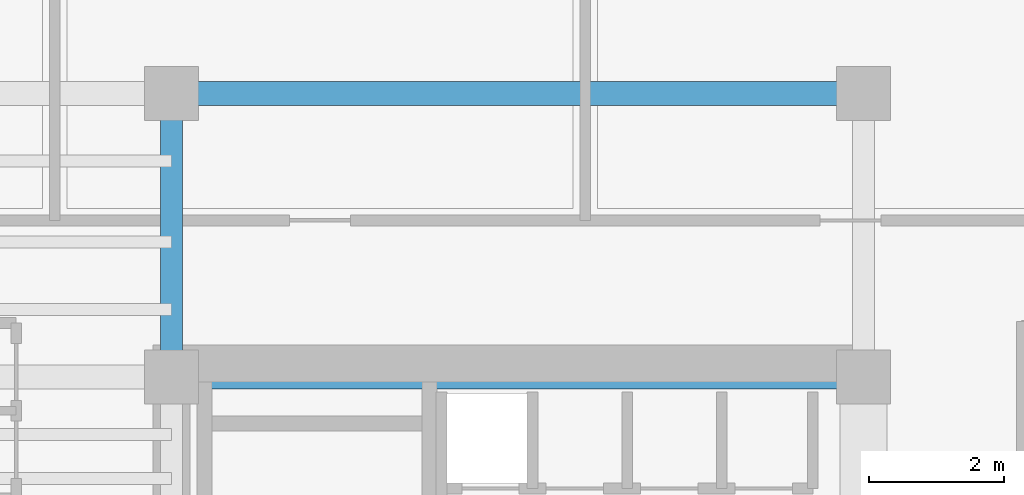
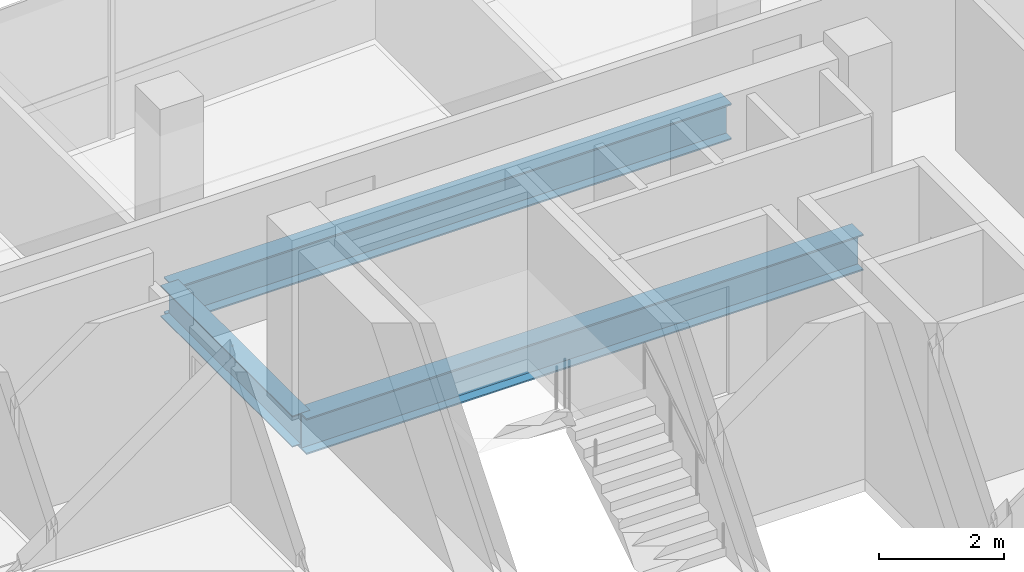
# One storey, part 9 of 21: 3 beams.
"""IFC4 building model written with IfcOpenShell, lengths in metres."""

from ifc_helpers import new_model, si_unit, direction, frame, origin, origin_2d, place, context, subcontext, project, spatial, i_section, extrude, source, transform, mapped, material, material_profile, profile_set, type_object, element, save


model = new_model("IFC4")

# Units and contexts
model_context = context("Model", 3, precision=1e-05, world=origin(), true_north=direction((0.0, 1.0)))
body_context = subcontext(model_context, "Body", "Model", "MODEL_VIEW")
ifc_project = project(units=[si_unit("LENGTHUNIT", "METRE"), si_unit("AREAUNIT", "SQUARE_METRE"), si_unit("VOLUMEUNIT", "CUBIC_METRE"), si_unit("PLANEANGLEUNIT", "RADIAN"), si_unit("MASSUNIT", "GRAM", prefix="KILO")], contexts=[model_context])

# Site, building, storey
site_placement = place(None, origin())
site = spatial("IfcSite", under=ifc_project, at=site_placement, CompositionType="ELEMENT")
building_placement = place(site_placement, origin())
building = spatial("IfcBuilding", under=site, at=building_placement, Name="Valdorenza Pilgrim Sanctuary Tower", CompositionType="ELEMENT")
storey_placement = place(building_placement, frame((0.0, 0.0, 258.0)))
storey = spatial("IfcBuildingStorey", under=building, at=storey_placement, Name="L67", CompositionType="ELEMENT", Elevation=258.0)

# Beams
ifc_material = material(Name="Steel ASTM A992 Grade 50", Category="steel")
ifc_material_profile_1 = material_profile(ifc_material, i_section(OverallWidth=0.323974609375, OverallDepth=0.611083984375, WebThickness=0.0126953125, FlangeThickness=0.01904296875, at=origin_2d()), Name="W24X104")
ifc_profile_set_1 = profile_set([ifc_material_profile_1], Name="Steel ASTM A992 Grade 50")
beam_type_1 = type_object("IfcBeamType", Name="STR-BM-GRD-W24B", PredefinedType="BEAM", material=ifc_profile_set_1)
shared_shape_1 = source(origin(), body_context, "Body", "SweptSolid", [
    extrude(i_section(OverallWidth=0.323974609375, OverallDepth=0.611083984375, WebThickness=0.0126953125, FlangeThickness=0.01904296875, at=origin_2d()), origin(), (0.0, 0.0, 1.0), 4.199951171875),
])
beam_placement = place(storey_placement, frame((-22.64990234375, 10.60009765625, -0.54541015625), z_axis=(0.0, 1.0, 0.0), x_axis=(-1.0, 0.0, 0.0)))
element("IfcBeam", 1, at=beam_placement, inside=storey, type_object=beam_type_1, Name="L67 Core Tie Girder CA-W-N1N2", PredefinedType="BEAM", context=body_context, shape_type="MappedRepresentation", body=[
    mapped(shared_shape_1, transform((0.0, 0.0, 0.0), x_axis=(1.0, 0.0, 0.0), y_axis=(0.0, 1.0, 0.0), z_axis=(0.0, 0.0, 1.0), scale=1.0)),
])
ifc_material_profile_2 = material_profile(ifc_material, i_section(OverallWidth=0.35595703125, OverallDepth=0.700927734375, WebThickness=0.016845703125, FlangeThickness=0.02734375, at=origin_2d()), Name="W27X161")
ifc_profile_set_2 = profile_set([ifc_material_profile_2], Name="Steel ASTM A992 Grade 50")
beam_type_2 = type_object("IfcBeamType", Name="STR-BM-GRD-W27", PredefinedType="BEAM", material=ifc_profile_set_2)
shared_shape_2 = source(origin(), body_context, "Body", "SweptSolid", [
    extrude(i_section(OverallWidth=0.35595703125, OverallDepth=0.700927734375, WebThickness=0.016845703125, FlangeThickness=0.02734375, at=origin_2d()), origin(), (0.0, 0.0, 1.0), 10.25),
])
for number, where, z_axis, x_axis, name in (
    (2, (-22.64990234375, 10.60009765625, -0.590576171875), (1.0, 0.0, 0.0), (0.0, 1.0, 0.0), "L67 Floor Girder CA-XC-N1"),
    (3, (-22.64990234375, 14.800048828125, -0.590576171875), (1.0, 0.0, 0.0), (0.0, 1.0, 0.0), "L67 Floor Girder CA-XC-N2"),
):
    element("IfcBeam", number, at=place(storey_placement, frame(where, z_axis=z_axis, x_axis=x_axis)), inside=storey, type_object=beam_type_2, Name=name, PredefinedType="BEAM", context=body_context, shape_type="MappedRepresentation", body=[
        mapped(shared_shape_2, transform((0.0, 0.0, 0.0), x_axis=(1.0, 0.0, 0.0), y_axis=(0.0, 1.0, 0.0), z_axis=(0.0, 0.0, 1.0), scale=1.0)),
    ])

save(model, "model.ifc")
